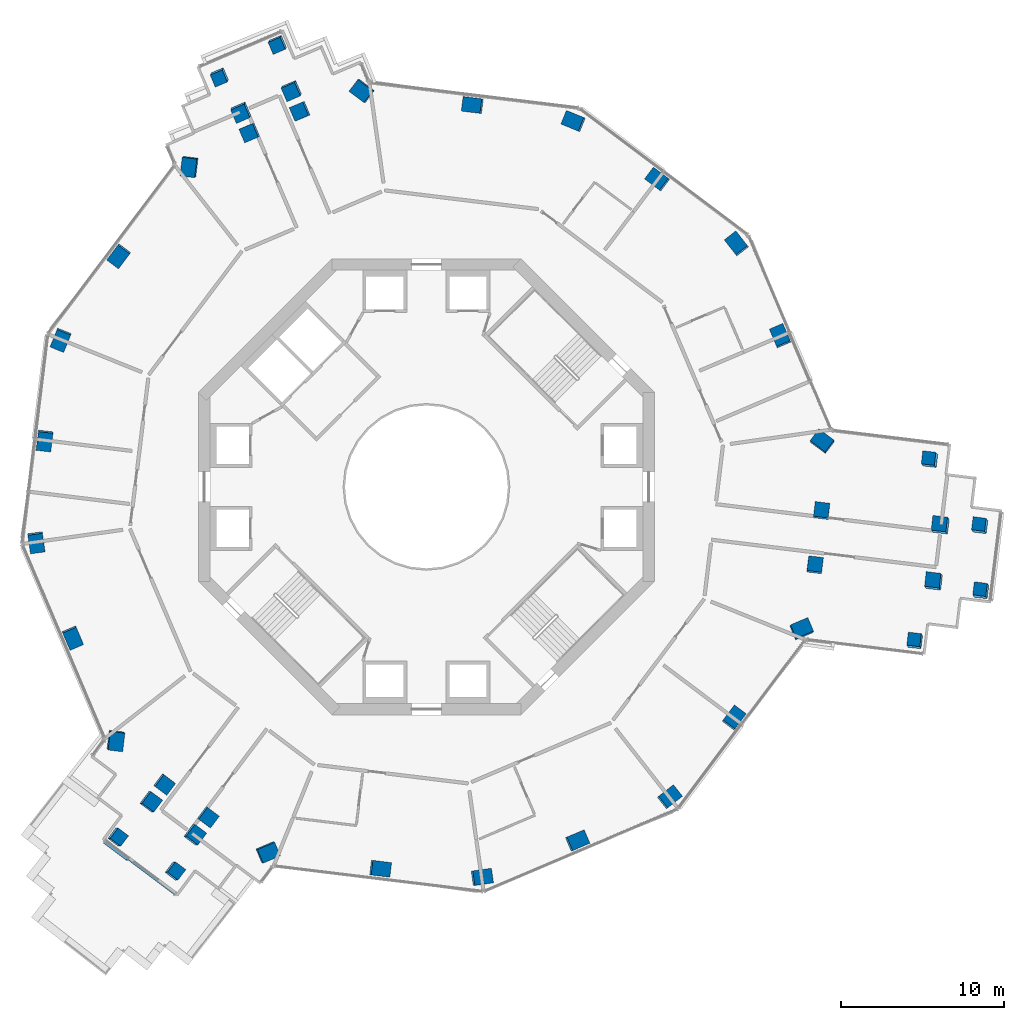
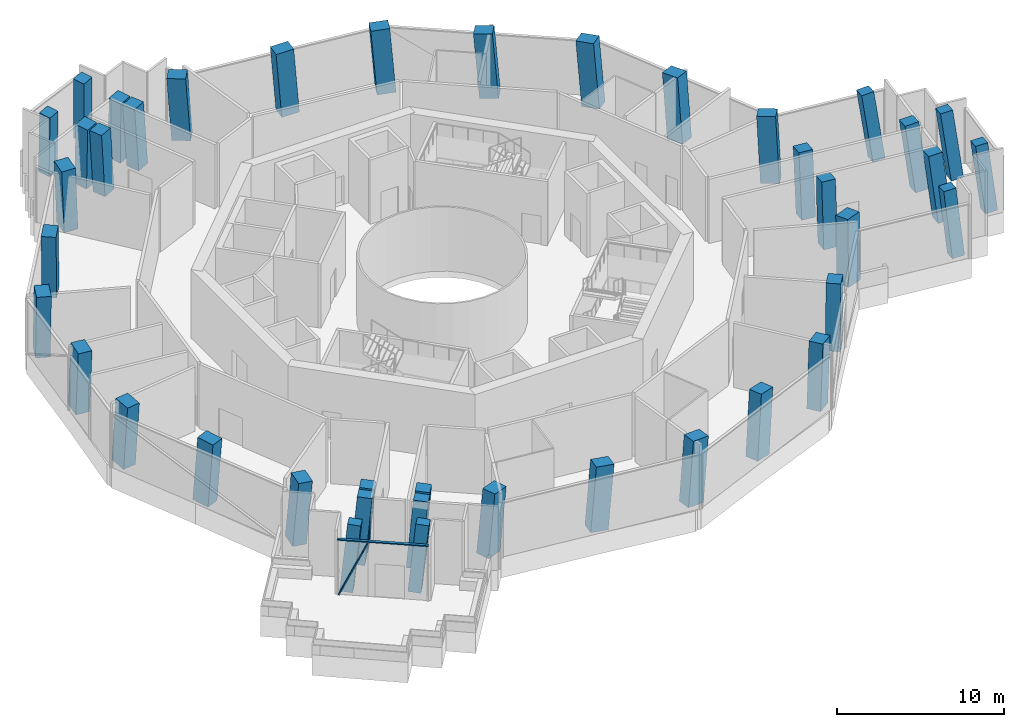
# One storey, part 1 of 17: 41 columns, 2 members, 1 element without a shape of its own.
"""IFC4 building model written with IfcOpenShell, lengths in metres."""

from ifc_helpers import new_model, si_unit, direction, frame, origin, origin_2d, place, context, subcontext, project, spatial, rectangle, extrude, material, layer, layer_set, material_profile, profile_set, type_object, element, aggregate, save


model = new_model("IFC4")

# Units and contexts
model_context = context("Model", 3, precision=1e-05, world=origin(), true_north=direction((0.0, 1.0)))
body_context = subcontext(model_context, "Body", "Model", "MODEL_VIEW")
ifc_project = project(units=[si_unit("LENGTHUNIT", "METRE"), si_unit("AREAUNIT", "SQUARE_METRE"), si_unit("VOLUMEUNIT", "CUBIC_METRE"), si_unit("PLANEANGLEUNIT", "RADIAN"), si_unit("MASSUNIT", "GRAM", prefix="KILO")], contexts=[model_context])

# Site, building, storey
site_placement = place(None, origin())
site = spatial("IfcSite", under=ifc_project, at=site_placement, CompositionType="ELEMENT")
building_placement = place(site_placement, origin())
building = spatial("IfcBuilding", under=site, at=building_placement, Name="Verdalira Terraces Hotel", CompositionType="ELEMENT")
storey_placement = place(building_placement, frame((0.0, 0.0, 128.0)))
storey = spatial("IfcBuildingStorey", under=building, at=storey_placement, Name="L30", CompositionType="ELEMENT", Elevation=128.0)

# Columns
ifc_material_1 = material(Name="Concrete C60", Category="concrete")
ifc_material_profile_1 = material_profile(ifc_material_1, rectangle(XDim=1.149902, YDim=0.899902, at=origin_2d()), Name="RC 1150X900")
ifc_profile_set_1 = profile_set([ifc_material_profile_1], Name="Concrete C60")
column_type_1 = type_object("IfcColumnType", Name="Column RC 1150X900 C60", PredefinedType="COLUMN", material=ifc_profile_set_1)
column_1_placement = place(storey_placement, frame((-14.535645, 19.664551, 0.0), z_axis=(-0.065268001, -0.049080706, 0.996660008), x_axis=(0.11781391, 0.991424894, 0.056538149)))
element("IfcColumn", 1, at=column_1_placement, inside=storey, type_object=column_type_1, Name="Column C01", PredefinedType="COLUMN", context=body_context, shape_type="SweptSolid", body=[
    extrude(rectangle(XDim=1.149902, YDim=0.899902, at=origin_2d()), origin(), (0.0, 0.0, 1.0), 4.705566),
])
column_2_placement = place(storey_placement, frame((-18.864502, 14.19458, 0.0), z_axis=(-0.046860412, -0.063414643, 0.996886495), x_axis=(-0.599185859, -0.796717911, -0.078847169)))
element("IfcColumn", 2, at=column_2_placement, inside=storey, type_object=column_type_1, Name="Column C02", PredefinedType="COLUMN", context=body_context, shape_type="SweptSolid", body=[
    extrude(rectangle(XDim=1.149902, YDim=0.899902, at=origin_2d()), origin(), (0.0, 0.0, 1.0), 4.70459),
])
column_3_placement = place(storey_placement, frame((-22.4375, 9.047119, 0.0), z_axis=(-0.02957505, -0.075182891, 0.996731082), x_axis=(0.372682031, 0.924435727, 0.08078793)))
element("IfcColumn", 3, at=column_3_placement, inside=storey, type_object=column_type_1, Name="Column C03", PredefinedType="COLUMN", context=body_context, shape_type="SweptSolid", body=[
    extrude(rectangle(XDim=1.149902, YDim=0.899902, at=origin_2d()), origin(), (0.0, 0.0, 1.0), 4.705322),
])
column_4_placement = place(storey_placement, frame((-23.434326, 2.86084, 0.0), z_axis=(-0.008925781, -0.078360052, 0.996885165), x_axis=(-0.121168594, -0.989494135, -0.078863985)))
element("IfcColumn", 4, at=column_4_placement, inside=storey, type_object=column_type_1, Name="Column C04", PredefinedType="COLUMN", context=body_context, shape_type="SweptSolid", body=[
    extrude(rectangle(XDim=1.149902, YDim=0.899902, at=origin_2d()), origin(), (0.0, 0.0, 1.0), 4.70459),
])
column_5_placement = place(storey_placement, frame((-23.954834, -3.383789, 0.0), z_axis=(0.011985671, -0.079904472, 0.996730465), x_axis=(-0.139537813, 0.986915031, 0.080795543)))
element("IfcColumn", 5, at=column_5_placement, inside=storey, type_object=column_type_1, Name="Column C05", PredefinedType="COLUMN", context=body_context, shape_type="SweptSolid", body=[
    extrude(rectangle(XDim=1.149902, YDim=0.899902, at=origin_2d()), origin(), (0.0, 0.0, 1.0), 4.705322),
])
column_6_placement = place(storey_placement, frame((-21.725098, -9.239746, 0.0), z_axis=(0.031447894, -0.07228864, 0.996887849), x_axis=(0.389957088, -0.91745261, -0.078830061)))
element("IfcColumn", 6, at=column_6_placement, inside=storey, type_object=column_type_1, Name="Column C06", PredefinedType="COLUMN", context=body_context, shape_type="SweptSolid", body=[
    extrude(rectangle(XDim=1.149902, YDim=0.899902, at=origin_2d()), origin(), (0.0, 0.0, 1.0), 4.70459),
])
column_7_placement = place(storey_placement, frame((-19.091553, -15.55957, 0.0), z_axis=(0.052502464, -0.063293484, 0.996612977), x_axis=(0.124058935, 0.990671795, 0.056380632)))
element("IfcColumn", 7, at=column_7_placement, inside=storey, type_object=column_type_1, Name="Column C07", PredefinedType="COLUMN", context=body_context, shape_type="SweptSolid", body=[
    extrude(rectangle(XDim=1.149902, YDim=0.899902, at=origin_2d()), origin(), (0.0, 0.0, 1.0), 4.705811),
])
column_8_placement = place(storey_placement, frame((-9.762207, -22.420654, 0.0), z_axis=(0.075125781, -0.031959586, 0.996661779), x_axis=(-0.917426806, -0.393869502, 0.056523186)))
element("IfcColumn", 8, at=column_8_placement, inside=storey, type_object=column_type_1, Name="Column C10", PredefinedType="COLUMN", context=body_context, shape_type="SweptSolid", body=[
    extrude(rectangle(XDim=1.149902, YDim=0.899902, at=origin_2d()), origin(), (0.0, 0.0, 1.0), 4.705566),
])
column_9_placement = place(storey_placement, frame((-2.86084, -23.434326, 0.0), z_axis=(0.078360052, -0.008925781, 0.996885165), x_axis=(0.989494135, -0.121168594, -0.078863985)))
element("IfcColumn", 9, at=column_9_placement, inside=storey, type_object=column_type_1, Name="Column C11", PredefinedType="COLUMN", context=body_context, shape_type="SweptSolid", body=[
    extrude(rectangle(XDim=1.149902, YDim=0.899902, at=origin_2d()), origin(), (0.0, 0.0, 1.0), 4.70459),
])
column_10_placement = place(storey_placement, frame((3.383789, -23.954834, 0.0), z_axis=(0.079904472, 0.011985671, 0.996730465), x_axis=(-0.986915031, -0.139537813, 0.080795543)))
element("IfcColumn", 10, at=column_10_placement, inside=storey, type_object=column_type_1, Name="Column C12", PredefinedType="COLUMN", context=body_context, shape_type="SweptSolid", body=[
    extrude(rectangle(XDim=1.149902, YDim=0.899902, at=origin_2d()), origin(), (0.0, 0.0, 1.0), 4.705322),
])
column_11_placement = place(storey_placement, frame((9.239746, -21.725098, 0.0), z_axis=(0.07228864, 0.031447894, 0.996887849), x_axis=(0.91745261, 0.389957088, -0.078830061)))
element("IfcColumn", 11, at=column_11_placement, inside=storey, type_object=column_type_1, Name="Column C13", PredefinedType="COLUMN", context=body_context, shape_type="SweptSolid", body=[
    extrude(rectangle(XDim=1.149902, YDim=0.899902, at=origin_2d()), origin(), (0.0, 0.0, 1.0), 4.70459),
])
column_12_placement = place(storey_placement, frame((14.907715, -19.053711, 0.0), z_axis=(0.063248898, 0.050329312, 0.996727915), x_axis=(-0.785140179, -0.614021089, 0.080826983)))
element("IfcColumn", 12, at=column_12_placement, inside=storey, type_object=column_type_1, Name="Column C14", PredefinedType="COLUMN", context=body_context, shape_type="SweptSolid", body=[
    extrude(rectangle(XDim=1.149902, YDim=0.899902, at=origin_2d()), origin(), (0.0, 0.0, 1.0), 4.705322),
])
column_13_placement = place(storey_placement, frame((18.864502, -14.19458, 0.0), z_axis=(0.046860412, 0.063414643, 0.996886495), x_axis=(0.599185859, 0.796717911, -0.078847169)))
element("IfcColumn", 13, at=column_13_placement, inside=storey, type_object=column_type_1, Name="Column C15", PredefinedType="COLUMN", context=body_context, shape_type="SweptSolid", body=[
    extrude(rectangle(XDim=1.149902, YDim=0.899902, at=origin_2d()), origin(), (0.0, 0.0, 1.0), 4.70459),
])
column_14_placement = place(storey_placement, frame((23.020752, -8.75415, 0.0), z_axis=(0.028585742, 0.077145188, 0.996609992), x_axis=(-0.92002921, -0.387768848, 0.056405433)))
element("IfcColumn", 14, at=column_14_placement, inside=storey, type_object=column_type_1, Name="Column C16", PredefinedType="COLUMN", context=body_context, shape_type="SweptSolid", body=[
    extrude(rectangle(XDim=1.149902, YDim=0.899902, at=origin_2d()), origin(), (0.0, 0.0, 1.0), 4.705811),
])
column_15_placement = place(storey_placement, frame((24.297852, 2.756104, 0.0), z_axis=(-0.009857668, 0.081040404, 0.996662069), x_axis=(0.799615419, -0.597846625, 0.056520737)))
element("IfcColumn", 15, at=column_15_placement, inside=storey, type_object=column_type_1, Name="Column C21", PredefinedType="COLUMN", context=body_context, shape_type="SweptSolid", body=[
    extrude(rectangle(XDim=1.149902, YDim=0.899902, at=origin_2d()), origin(), (0.0, 0.0, 1.0), 4.705566),
])
column_16_placement = place(storey_placement, frame((21.725098, 9.239746, 0.0), z_axis=(-0.031447894, 0.07228864, 0.996887849), x_axis=(-0.389957088, 0.91745261, -0.078830061)))
element("IfcColumn", 16, at=column_16_placement, inside=storey, type_object=column_type_1, Name="Column C22", PredefinedType="COLUMN", context=body_context, shape_type="SweptSolid", body=[
    extrude(rectangle(XDim=1.149902, YDim=0.899902, at=origin_2d()), origin(), (0.0, 0.0, 1.0), 4.70459),
])
column_17_placement = place(storey_placement, frame((19.053711, 14.907715, 0.0), z_axis=(-0.050329312, 0.063248898, 0.996727915), x_axis=(0.614021089, -0.785140179, 0.080826983)))
element("IfcColumn", 17, at=column_17_placement, inside=storey, type_object=column_type_1, Name="Column C23", PredefinedType="COLUMN", context=body_context, shape_type="SweptSolid", body=[
    extrude(rectangle(XDim=1.149902, YDim=0.899902, at=origin_2d()), origin(), (0.0, 0.0, 1.0), 4.705322),
])
column_18_placement = place(storey_placement, frame((14.19458, 18.864502, 0.0), z_axis=(-0.063414643, 0.046860412, 0.996886495), x_axis=(-0.796717911, 0.599185859, -0.078847169)))
element("IfcColumn", 18, at=column_18_placement, inside=storey, type_object=column_type_1, Name="Column C24", PredefinedType="COLUMN", context=body_context, shape_type="SweptSolid", body=[
    extrude(rectangle(XDim=1.149902, YDim=0.899902, at=origin_2d()), origin(), (0.0, 0.0, 1.0), 4.70459),
])
column_19_placement = place(storey_placement, frame((9.047119, 22.4375, 0.0), z_axis=(-0.075182891, 0.02957505, 0.996731082), x_axis=(0.924435727, -0.372682031, 0.08078793)))
element("IfcColumn", 19, at=column_19_placement, inside=storey, type_object=column_type_1, Name="Column C25", PredefinedType="COLUMN", context=body_context, shape_type="SweptSolid", body=[
    extrude(rectangle(XDim=1.149902, YDim=0.899902, at=origin_2d()), origin(), (0.0, 0.0, 1.0), 4.705322),
])
column_20_placement = place(storey_placement, frame((2.86084, 23.434326, 0.0), z_axis=(-0.078360052, 0.008925781, 0.996885165), x_axis=(-0.989494135, 0.121168594, -0.078863985)))
element("IfcColumn", 20, at=column_20_placement, inside=storey, type_object=column_type_1, Name="Column C26", PredefinedType="COLUMN", context=body_context, shape_type="SweptSolid", body=[
    extrude(rectangle(XDim=1.149902, YDim=0.899902, at=origin_2d()), origin(), (0.0, 0.0, 1.0), 4.70459),
])
column_21_placement = place(storey_placement, frame((-3.929199, 24.313721, 0.0), z_axis=(-0.081088163, -0.013800033, 0.996611393), x_axis=(0.795731126, -0.603018835, 0.056393792)))
element("IfcColumn", 21, at=column_21_placement, inside=storey, type_object=column_type_1, Name="Column C27", PredefinedType="COLUMN", context=body_context, shape_type="SweptSolid", body=[
    extrude(rectangle(XDim=1.149902, YDim=0.899902, at=origin_2d()), origin(), (0.0, 0.0, 1.0), 4.705811),
])
ifc_material_2 = material(Name="Concrete C60", Category="concrete")
ifc_material_profile_2 = material_profile(ifc_material_2, rectangle(XDim=0.800049, YDim=0.800049, at=origin_2d()), Name="RC 800X800")
ifc_profile_set_2 = profile_set([ifc_material_profile_2], Name="Concrete C60")
column_type_2 = type_object("IfcColumnType", Name="Column RC 800X800 C60", PredefinedType="COLUMN", material=ifc_profile_set_2)
column_22_placement = place(storey_placement, frame((-18.993896, -21.500244, 0.0), z_axis=(0.117809956, 0.000361856, 0.993036094), x_axis=(0.791658587, -0.60373597, -0.093699311)))
element("IfcColumn", 22, at=column_22_placement, inside=storey, type_object=column_type_2, Name="Column C08", PredefinedType="COLUMN", context=body_context, shape_type="SweptSolid", body=[
    extrude(rectangle(XDim=0.800049, YDim=0.800049, at=origin_2d()), origin(), (0.0, 0.0, 1.0), 4.7229),
])
column_23_placement = place(storey_placement, frame((-15.485107, -23.5896, 0.0), z_axis=(0.124521552, 0.012033812, 0.992143926), x_axis=(0.790862863, -0.605050863, -0.091920537)))
element("IfcColumn", 23, at=column_23_placement, inside=storey, type_object=column_type_2, Name="Column C09", PredefinedType="COLUMN", context=body_context, shape_type="SweptSolid", body=[
    extrude(rectangle(XDim=0.800049, YDim=0.800049, at=origin_2d()), origin(), (0.0, 0.0, 1.0), 4.727051),
])
column_24_placement = place(storey_placement, frame((30.010498, -9.496582, 0.0), z_axis=(-0.063665308, 0.109929797, 0.991898265), x_axis=(0.990694599, -0.112844422, 0.076094337)))
element("IfcColumn", 24, at=column_24_placement, inside=storey, type_object=column_type_2, Name="Column C17", PredefinedType="COLUMN", context=body_context, shape_type="SweptSolid", body=[
    extrude(rectangle(XDim=0.800049, YDim=0.800049, at=origin_2d()), origin(), (0.0, 0.0, 1.0), 4.728271),
])
column_25_placement = place(storey_placement, frame((34.07251, -6.426025, 0.0), z_axis=(-0.073773548, 0.123024604, 0.989657724), x_axis=(0.130248734, 0.985050448, -0.112742545)))
element("IfcColumn", 25, at=column_25_placement, inside=storey, type_object=column_type_2, Name="Column C18", PredefinedType="COLUMN", context=body_context, shape_type="SweptSolid", body=[
    extrude(rectangle(XDim=0.800049, YDim=0.800049, at=origin_2d()), origin(), (0.0, 0.0, 1.0), 4.739014),
])
column_26_placement = place(storey_placement, frame((34.016113, -2.429932, 0.0), z_axis=(-0.086923908, 0.122640422, 0.988637224), x_axis=(0.131738962, 0.985093156, -0.110617901)))
element("IfcColumn", 26, at=column_26_placement, inside=storey, type_object=column_type_2, Name="Column C19", PredefinedType="COLUMN", context=body_context, shape_type="SweptSolid", body=[
    extrude(rectangle(XDim=0.800049, YDim=0.800049, at=origin_2d()), origin(), (0.0, 0.0, 1.0), 4.743896),
])
column_27_placement = place(storey_placement, frame((30.945801, 1.63208, 0.0), z_axis=(-0.100300394, 0.112342617, 0.98859444), x_axis=(-0.98762647, 0.109150634, -0.112605925)))
element("IfcColumn", 27, at=column_27_placement, inside=storey, type_object=column_type_2, Name="Column C20", PredefinedType="COLUMN", context=body_context, shape_type="SweptSolid", body=[
    extrude(rectangle(XDim=0.800049, YDim=0.800049, at=origin_2d()), origin(), (0.0, 0.0, 1.0), 4.744141),
])
column_28_placement = place(storey_placement, frame((-9.122803, 27.199219, 0.0), z_axis=(-0.058620616, -0.102198376, 0.993035304), x_axis=(-0.918776148, -0.383496855, -0.093704604)))
element("IfcColumn", 28, at=column_28_placement, inside=storey, type_object=column_type_2, Name="Column C28", PredefinedType="COLUMN", context=body_context, shape_type="SweptSolid", body=[
    extrude(rectangle(XDim=0.800049, YDim=0.800049, at=origin_2d()), origin(), (0.0, 0.0, 1.0), 4.7229),
])
column_29_placement = place(storey_placement, frame((-12.686768, 25.205322, 0.0), z_axis=(-0.051802148, -0.11388209, 0.992142836), x_axis=(-0.919284046, -0.382709144, -0.09192689)))
element("IfcColumn", 29, at=column_29_placement, inside=storey, type_object=column_type_2, Name="Column C29", PredefinedType="COLUMN", context=body_context, shape_type="SweptSolid", body=[
    extrude(rectangle(XDim=0.800049, YDim=0.800049, at=origin_2d()), origin(), (0.0, 0.0, 1.0), 4.727051),
])
ifc_material_3 = material(Name="Concrete C60", Category="concrete")
ifc_material_profile_3 = material_profile(ifc_material_3, rectangle(XDim=0.899902, YDim=0.899902, at=origin_2d()), Name="RC 900X900")
ifc_profile_set_3 = profile_set([ifc_material_profile_3], Name="Concrete C60")
column_type_3 = type_object("IfcColumnType", Name="Column RC 900X900 C60", PredefinedType="COLUMN", material=ifc_profile_set_3)
for number, where, z_axis, x_axis, name in (
    (30, (-7.739746, 23.069336, 0.0), (-0.076840144, -0.026512703, 0.996690859), (-0.391101407, 0.920330122, -0.005670614), "Column C30"),
    (31, (-10.828369, 21.755859, 0.0), (-0.072378686, -0.036786013, 0.996698608), (-0.391794347, 0.920036349, 0.005505084), "Column C31"),
):
    element("IfcColumn", number, at=place(storey_placement, frame(where, z_axis=z_axis, x_axis=x_axis)), inside=storey, type_object=column_type_3, Name=name, PredefinedType="COLUMN", context=body_context, shape_type="SweptSolid", body=[
        extrude(rectangle(XDim=0.899902, YDim=0.899902, at=origin_2d()), origin(), (0.0, 0.0, 1.0), 4.705566),
    ])
column_30_placement = place(storey_placement, frame((-8.269043, 24.356689, 0.0), z_axis=(-0.049200123, -0.099383214, 0.993832141), x_axis=(-0.396253435, 0.915320382, 0.071915327)))
element("IfcColumn", 32, at=column_30_placement, inside=storey, type_object=column_type_3, Name="Column C32", PredefinedType="COLUMN", context=body_context, shape_type="SweptSolid", body=[
    extrude(rectangle(XDim=0.899902, YDim=0.899902, at=origin_2d()), origin(), (0.0, 0.0, 1.0), 4.718994),
])
column_31_placement = place(storey_placement, frame((-11.373047, 23.036621, 0.0), z_axis=(-0.044712144, -0.109583521, 0.992971438), x_axis=(-0.39647572, 0.914281285, 0.083046581)))
element("IfcColumn", 33, at=column_31_placement, inside=storey, type_object=column_type_3, Name="Column C33", PredefinedType="COLUMN", context=body_context, shape_type="SweptSolid", body=[
    extrude(rectangle(XDim=0.899902, YDim=0.899902, at=origin_2d()), origin(), (0.0, 0.0, 1.0), 4.723145),
])
for number, where, z_axis, x_axis, name in (
    (34, (-16.108887, -18.237549, 0.0), (0.061378746, -0.053284845, 0.996691213), (-0.601459374, -0.798883264, -0.005670311), "Column C34"),
    (35, (-13.427002, -20.255615, 0.0), (0.068072261, -0.044257347, 0.996698277), (-0.600482437, -0.799618993, 0.005505359), "Column C35"),
):
    element("IfcColumn", number, at=place(storey_placement, frame(where, z_axis=z_axis, x_axis=x_axis)), inside=storey, type_object=column_type_3, Name=name, PredefinedType="COLUMN", context=body_context, shape_type="SweptSolid", body=[
        extrude(rectangle(XDim=0.899902, YDim=0.899902, at=origin_2d()), origin(), (0.0, 0.0, 1.0), 4.705566),
    ])
column_32_placement = place(storey_placement, frame((-16.958984, -19.339355, 0.0), z_axis=(0.110610496, 0.007036028, 0.993838927), x_axis=(-0.594880653, -0.800594071, 0.071875879)))
element("IfcColumn", 36, at=column_32_placement, inside=storey, type_object=column_type_3, Name="Column C36", PredefinedType="COLUMN", context=body_context, shape_type="SweptSolid", body=[
    extrude(rectangle(XDim=0.899902, YDim=0.899902, at=origin_2d()), origin(), (0.0, 0.0, 1.0), 4.718994),
])
column_33_placement = place(storey_placement, frame((-14.263672, -21.367676, 0.0), z_axis=(0.117234018, 0.016075741, 0.992974197), x_axis=(-0.593493584, -0.800544395, 0.083030336)))
element("IfcColumn", 37, at=column_33_placement, inside=storey, type_object=column_type_3, Name="Column C37", PredefinedType="COLUMN", context=body_context, shape_type="SweptSolid", body=[
    extrude(rectangle(XDim=0.899902, YDim=0.899902, at=origin_2d()), origin(), (0.0, 0.0, 1.0), 4.723145),
])
for number, where, z_axis, x_axis, name in (
    (38, (23.848633, -4.831787, 0.0), (0.015461489, 0.079746001, 0.996695298), (0.992561058, -0.121615922, -0.005666815), "Column C38"),
    (39, (24.255371, -1.500244, 0.0), (0.004306414, 0.08104359, 0.996701255), (0.992707086, -0.120425745, 0.00550288), "Column C39"),
):
    element("IfcColumn", number, at=place(storey_placement, frame(where, z_axis=z_axis, x_axis=x_axis)), inside=storey, type_object=column_type_3, Name=name, PredefinedType="COLUMN", context=body_context, shape_type="SweptSolid", body=[
        extrude(rectangle(XDim=0.899902, YDim=0.899902, at=origin_2d()), origin(), (0.0, 0.0, 1.0), 4.705566),
    ])
column_34_placement = place(storey_placement, frame((31.171631, -5.842529, 0.0), z_axis=(-0.075703951, 0.113504357, 0.990649117), x_axis=(0.989836254, -0.111394587, 0.088404951)))
element("IfcColumn", 40, at=column_34_placement, inside=storey, type_object=column_type_3, Name="Column C40", PredefinedType="COLUMN", context=body_context, shape_type="SweptSolid", body=[
    extrude(rectangle(XDim=0.899902, YDim=0.899902, at=origin_2d()), origin(), (0.0, 0.0, 1.0), 4.734131),
])
column_35_placement = place(storey_placement, frame((31.592529, -2.395996, 0.0), z_axis=(-0.087109058, 0.114720208, 0.989571264), x_axis=(0.988909006, -0.109993194, 0.099802185)))
element("IfcColumn", 41, at=column_35_placement, inside=storey, type_object=column_type_3, Name="Column C41", PredefinedType="COLUMN", context=body_context, shape_type="SweptSolid", body=[
    extrude(rectangle(XDim=0.899902, YDim=0.899902, at=origin_2d()), origin(), (0.0, 0.0, 1.0), 4.739258),
])

# Curtain wall, members
ifc_material_4 = material(Name="Clear glass", Category="glass")
ifc_layer = layer(ifc_material_4, 0.239990234375)
ifc_layer_set = layer_set([ifc_layer], Name="CW5 curtain wall")
curtain_wall_type = type_object("IfcCurtainWallType", Name="CW5 curtain wall", PredefinedType="NOTDEFINED", material=ifc_layer_set)
curtain_wall_placement = place(storey_placement, origin())
curtain_wall = element("IfcCurtainWall", 42, at=curtain_wall_placement, inside=storey, type_object=curtain_wall_type, Name="CW5 curtain wall L30 edge 19", PredefinedType="NOTDEFINED")
ifc_material_5 = material(Name="Terracotta frame", Category="masonry")
ifc_material_profile_4 = material_profile(ifc_material_5, rectangle(XDim=0.189941, YDim=0.074951, at=origin_2d()), Name="TR 75x190")
ifc_profile_set_4 = profile_set([ifc_material_profile_4], Name="Terracotta frame")
member_type_1 = type_object("IfcMemberType", Name="CW5 transom 75x190", PredefinedType="USERDEFINED", material=ifc_profile_set_4)
member_1_placement = place(storey_placement, frame((-19.766113, -21.694824, 4.002441), z_axis=(0.799034852, -0.601284712, 0.0), x_axis=(0.601284712, 0.799034852, 0.0)))
member_1 = element("IfcMember", 43, at=member_1_placement, type_object=member_type_1, Name="CW5 transom", ObjectType="TRANSOM", PredefinedType="USERDEFINED", context=body_context, shape_type="SweptSolid", body=[
    extrude(rectangle(XDim=0.189941, YDim=0.074951, at=origin_2d()), origin(), (0.0, 0.0, 1.0), 5.5),
])
ifc_material_6 = material(Name="Terracotta frame", Category="masonry")
ifc_material_profile_5 = material_profile(ifc_material_6, rectangle(XDim=0.149902, YDim=0.060059, at=origin_2d()), Name="GB 60x150")
ifc_profile_set_5 = profile_set([ifc_material_profile_5], Name="Terracotta frame")
member_type_2 = type_object("IfcMemberType", Name="Diagonal glazing bar 60x150", PredefinedType="USERDEFINED", material=ifc_profile_set_5)
member_2_placement = place(storey_placement, frame((-19.746094, -21.831543, 0.0625), z_axis=(0.328785264, -0.247371218, 0.911431693), x_axis=(0.601216103, 0.799086477, 0.0)))
member_2 = element("IfcMember", 44, at=member_2_placement, type_object=member_type_2, Name="Diagonal glazing bar", ObjectType="GLAZING BAR", PredefinedType="USERDEFINED", context=body_context, shape_type="SweptSolid", body=[
    extrude(rectangle(XDim=0.149902, YDim=0.060059, at=origin_2d()), origin(), (0.0, 0.0, 1.0), 4.213135),
])
aggregate(curtain_wall, [member_1, member_2])

save(model, "model.ifc")
